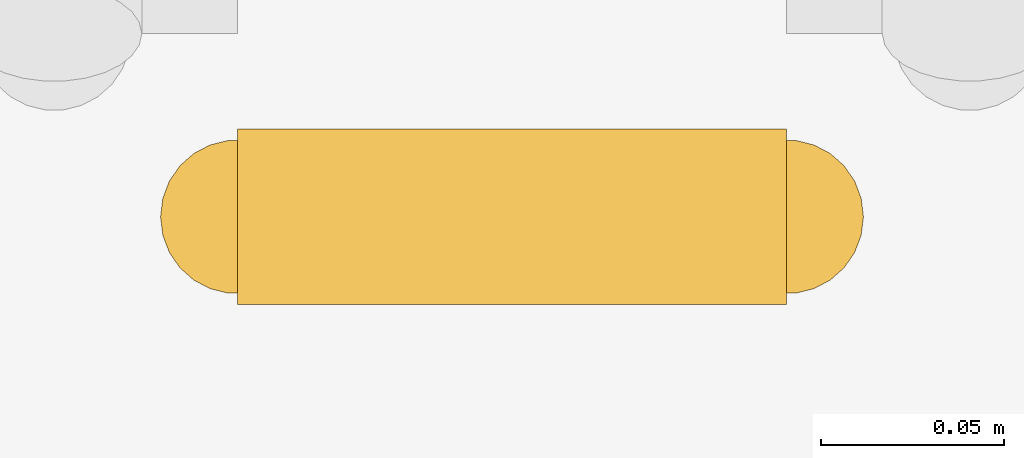
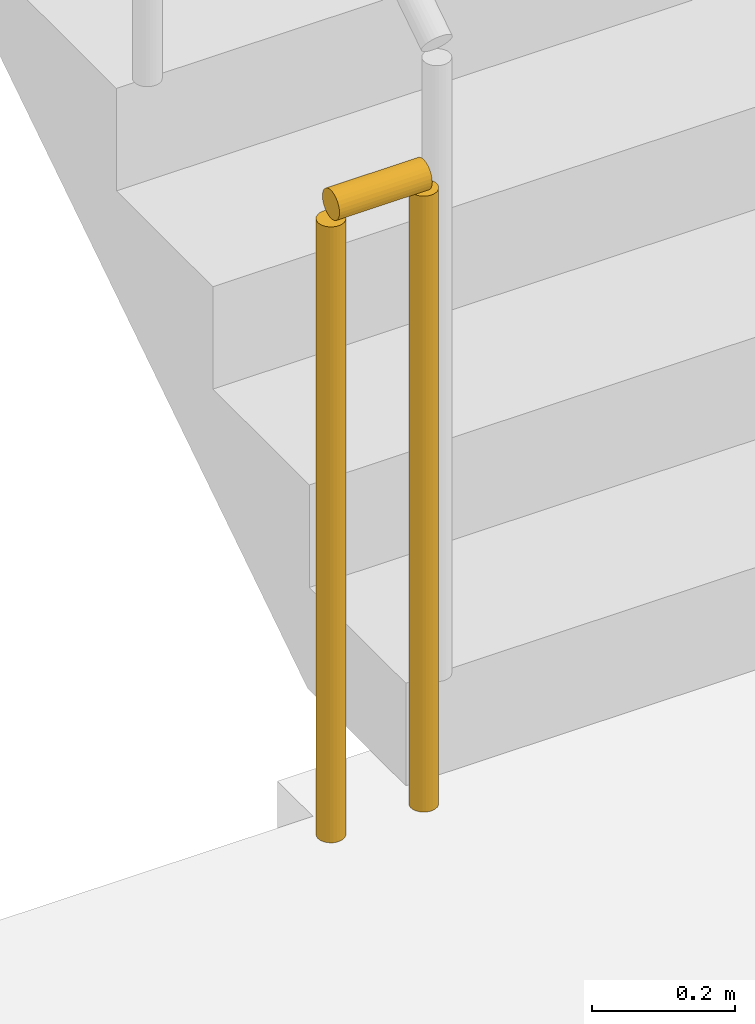
# One storey, part 17 of 20: 1 railing.
"""IFC4 building model written with IfcOpenShell, lengths in metres."""

from ifc_helpers import new_model, si_unit, direction, frame, origin, origin_2d, place, context, subcontext, project, spatial, circle, extrude, material, type_object, element, save


model = new_model("IFC4")

# Units and contexts
model_context = context("Model", 3, precision=1e-05, world=origin(), true_north=direction((0.0, 1.0)))
body_context = subcontext(model_context, "Body", "Model", "MODEL_VIEW")
ifc_project = project(units=[si_unit("LENGTHUNIT", "METRE"), si_unit("AREAUNIT", "SQUARE_METRE"), si_unit("VOLUMEUNIT", "CUBIC_METRE"), si_unit("PLANEANGLEUNIT", "RADIAN"), si_unit("MASSUNIT", "GRAM", prefix="KILO")], contexts=[model_context])

# Site, building, storey
site_placement = place(None, origin())
site = spatial("IfcSite", under=ifc_project, at=site_placement, CompositionType="ELEMENT")
building_placement = place(site_placement, origin())
building = spatial("IfcBuilding", under=site, at=building_placement, Name="Saffron Iwan Residences", CompositionType="ELEMENT")
storey_placement = place(building_placement, frame((0.0, 0.0, 195.5)))
storey = spatial("IfcBuildingStorey", under=building, at=storey_placement, Name="L52", CompositionType="ELEMENT", Elevation=195.5)

# Railing
ifc_material = material(Name="Steel S355", Category="steel")
railing_type = type_object("IfcRailingType", Name="Stair guard 1100", PredefinedType="GUARDRAIL", material=ifc_material)
railing_placement = place(storey_placement, frame((69.699951171875, 67.800048828125, 0.0)))
element("IfcRailing", 1, at=railing_placement, inside=storey, type_object=railing_type, Name="L52 ST-E stair guard 2", PredefinedType="GUARDRAIL", context=body_context, shape_type="SweptSolid", body=[
    extrude(circle(Radius=0.02392578125, at=origin_2d()), frame((0.0, 0.0, 1.076171875), z_axis=(-1.0, 0.0, 0.0), x_axis=(0.0, -1.0, 0.0)), (0.0, 0.0, 1.0), 0.14990234375),
    extrude(circle(Radius=0.02099609375, at=origin_2d()), origin(), (0.0, 0.0, 1.0), 1.052001953125),
    extrude(circle(Radius=0.02099609375, at=origin_2d()), frame((-0.14990234375, 0.0, 0.0)), (0.0, 0.0, 1.0), 1.052001953125),
])

save(model, "model.ifc")
